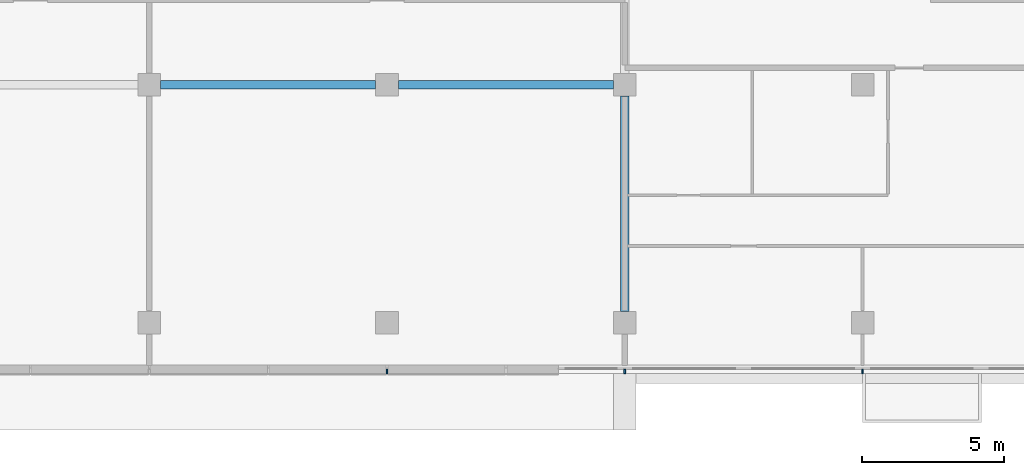
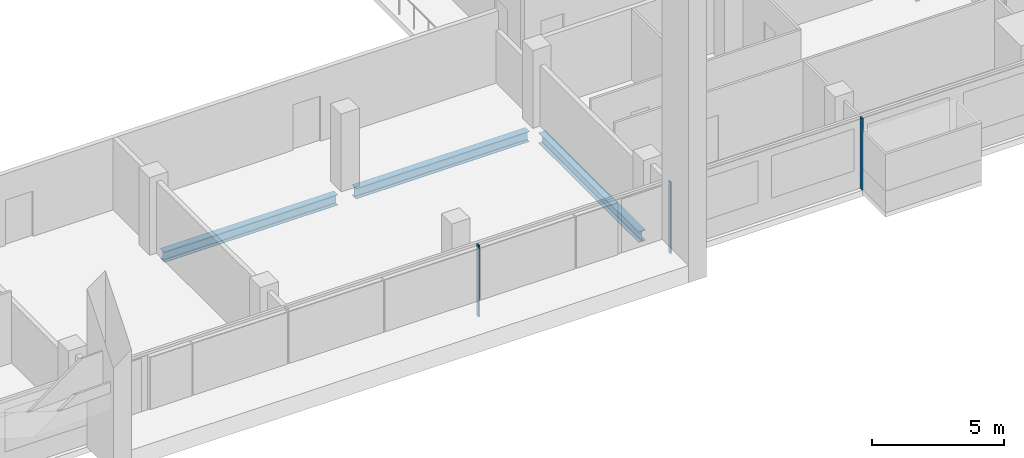
# One storey, part 9 of 30: 3 beams, 3 members, 1 element without a shape of its own.
"""IFC4 building model written with IfcOpenShell, lengths in metres."""

from ifc_helpers import new_model, si_unit, direction, frame, origin, origin_2d, place, context, subcontext, project, spatial, rectangle, i_section, extrude, material, material_profile, profile_set, type_object, element, aggregate, save


model = new_model("IFC4")

# Units and contexts
model_context = context("Model", 3, precision=1e-05, world=origin(), true_north=direction((0.0, 1.0)))
body_context = subcontext(model_context, "Body", "Model", "MODEL_VIEW")
ifc_project = project(units=[si_unit("LENGTHUNIT", "METRE"), si_unit("AREAUNIT", "SQUARE_METRE"), si_unit("VOLUMEUNIT", "CUBIC_METRE"), si_unit("PLANEANGLEUNIT", "RADIAN"), si_unit("MASSUNIT", "GRAM", prefix="KILO")], contexts=[model_context])

# Site, building, storey
site_placement = place(None, origin())
site = spatial("IfcSite", under=ifc_project, at=site_placement, CompositionType="ELEMENT")
building_placement = place(site_placement, origin())
building = spatial("IfcBuilding", under=site, at=building_placement, Name="Saffron Gate Tower", CompositionType="ELEMENT")
storey_placement = place(building_placement, frame((0.0, 0.0, 95.25)))
storey = spatial("IfcBuildingStorey", under=building, at=storey_placement, Name="L21", CompositionType="ELEMENT", Elevation=95.25)

# Beams
ifc_material_1 = material(Name="Structural steel S355", Category="steel")
ifc_material_profile_1 = material_profile(ifc_material_1, i_section(OverallWidth=0.300048828125, OverallDepth=0.489990234375, WebThickness=0.011962890625, FlangeThickness=0.02294921875, FilletRadius=0.027099609375, at=origin_2d()))
ifc_profile_set_1 = profile_set([ifc_material_profile_1], Name="Structural steel S355")
beam_type = type_object("IfcBeamType", Name="B8 HEA 500", PredefinedType="BEAM", material=ifc_profile_set_1)
beam_1_placement = place(storey_placement, frame((100.199951171875, 32.199951171875, -0.52490234375), z_axis=(0.0, 1.0, 0.0), x_axis=(-1.0, 0.0, 0.0)))
element("IfcBeam", 1, at=beam_1_placement, inside=storey, type_object=beam_type, Name="B8 FLOOR GIRDER", PredefinedType="BEAM", context=body_context, shape_type="SweptSolid", body=[
    extrude(i_section(OverallWidth=0.300048828125, OverallDepth=0.489990234375, WebThickness=0.011962890625, FlangeThickness=0.02294921875, FilletRadius=0.027099609375, at=origin_2d()), origin(), (0.0, 0.0, 1.0), 7.60009765625),
])
beam_2_placement = place(storey_placement, frame((83.800048828125, 40.199951171875, -0.52490234375), z_axis=(1.0, 0.0, 0.0), x_axis=(0.0, 1.0, 0.0)))
element("IfcBeam", 2, at=beam_2_placement, inside=storey, type_object=beam_type, Name="B8 FLOOR GIRDER", PredefinedType="BEAM", context=body_context, shape_type="SweptSolid", body=[
    extrude(i_section(OverallWidth=0.300048828125, OverallDepth=0.489990234375, WebThickness=0.011962890625, FlangeThickness=0.02294921875, FilletRadius=0.027099609375, at=origin_2d()), origin(), (0.0, 0.0, 1.0), 7.599853515625),
])
beam_3_placement = place(storey_placement, frame((92.199951171875, 40.199951171875, -0.52490234375), z_axis=(1.0, 0.0, 0.0), x_axis=(0.0, 1.0, 0.0)))
element("IfcBeam", 3, at=beam_3_placement, inside=storey, type_object=beam_type, Name="B8 FLOOR GIRDER", PredefinedType="BEAM", context=body_context, shape_type="SweptSolid", body=[
    extrude(i_section(OverallWidth=0.300048828125, OverallDepth=0.489990234375, WebThickness=0.011962890625, FlangeThickness=0.02294921875, FilletRadius=0.027099609375, at=origin_2d()), origin(), (0.0, 0.0, 1.0), 7.60009765625),
])

# Curtain wall, members
ifc_material_2 = material(Name="Aluminium, bronze anodised", Category="aluminium")
curtain_wall_type = type_object("IfcCurtainWallType", Name="CWS1 curtain wall front facade", PredefinedType="NOTDEFINED", material=ifc_material_2)
curtain_wall_placement = place(storey_placement, origin())
curtain_wall = element("IfcCurtainWall", 4, at=curtain_wall_placement, inside=storey, type_object=curtain_wall_type, Name="CWS1 run 1", PredefinedType="NOTDEFINED")
ifc_material_profile_2 = material_profile(ifc_material_2, rectangle(XDim=0.159912109375, YDim=0.06005859375, at=origin_2d()))
ifc_profile_set_2 = profile_set([ifc_material_profile_2], Name="Aluminium, bronze anodised")
member_type = type_object("IfcMemberType", Name="CWS1 mullion 60x160", PredefinedType="MULLION", material=ifc_profile_set_2)
member_1_placement = place(storey_placement, frame((91.800048828125, 30.080078125, 0.0), z_axis=(0.0, 0.0, 1.0), x_axis=(0.0, 1.0, 0.0)))
member_1 = element("IfcMember", 5, at=member_1_placement, type_object=member_type, Name="CWS1 mullion 6", PredefinedType="MULLION", context=body_context, shape_type="SweptSolid", body=[
    extrude(rectangle(XDim=0.159912109375, YDim=0.06005859375, at=origin_2d()), origin(), (0.0, 0.0, 1.0), 3.320068359375),
])
member_2_placement = place(storey_placement, frame((100.199951171875, 30.080078125, 0.0), z_axis=(0.0, 0.0, 1.0), x_axis=(0.0, 1.0, 0.0)))
member_2 = element("IfcMember", 6, at=member_2_placement, type_object=member_type, Name="CWS1 mullion 7", PredefinedType="MULLION", context=body_context, shape_type="SweptSolid", body=[
    extrude(rectangle(XDim=0.159912109375, YDim=0.06005859375, at=origin_2d()), origin(), (0.0, 0.0, 1.0), 3.320068359375),
])
member_3_placement = place(storey_placement, frame((108.60009765625, 30.080078125, 0.0), z_axis=(0.0, 0.0, 1.0), x_axis=(0.0, 1.0, 0.0)))
member_3 = element("IfcMember", 7, at=member_3_placement, type_object=member_type, Name="CWS1 mullion 8", PredefinedType="MULLION", context=body_context, shape_type="SweptSolid", body=[
    extrude(rectangle(XDim=0.159912109375, YDim=0.06005859375, at=origin_2d()), origin(), (0.0, 0.0, 1.0), 3.320068359375),
])
aggregate(curtain_wall, [member_1, member_2, member_3])

save(model, "model.ifc")
